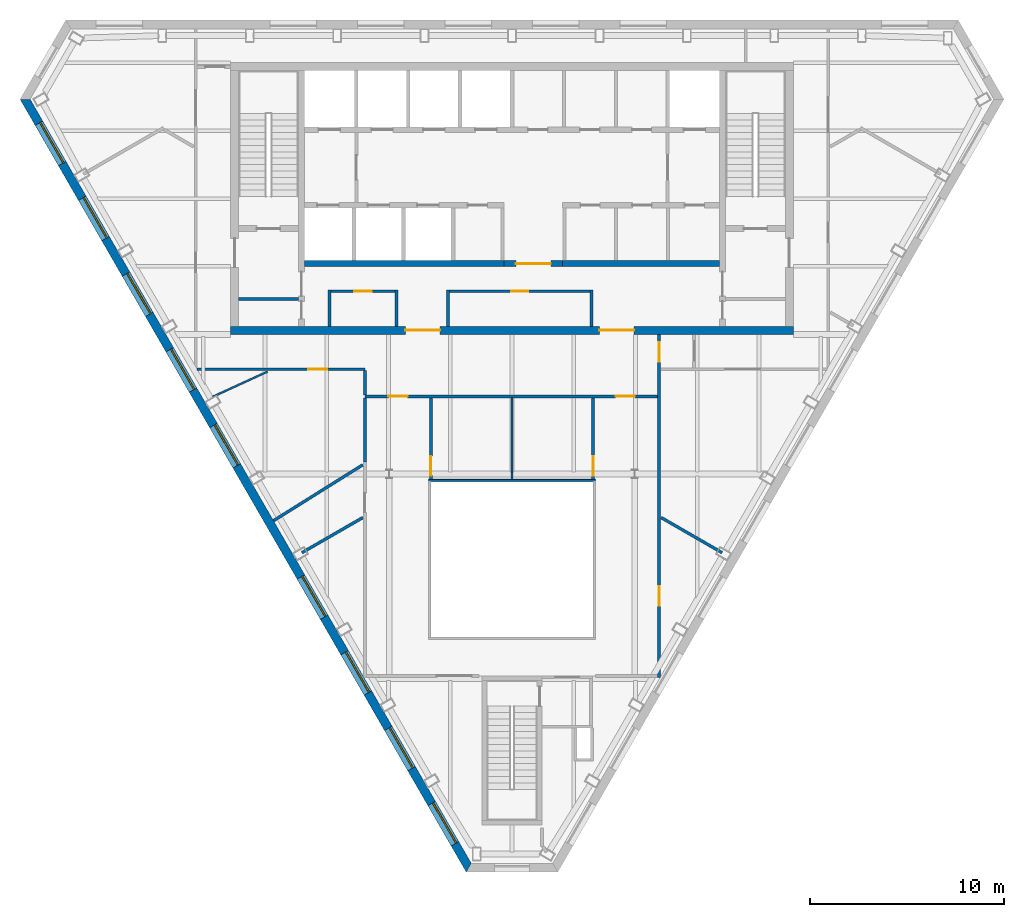
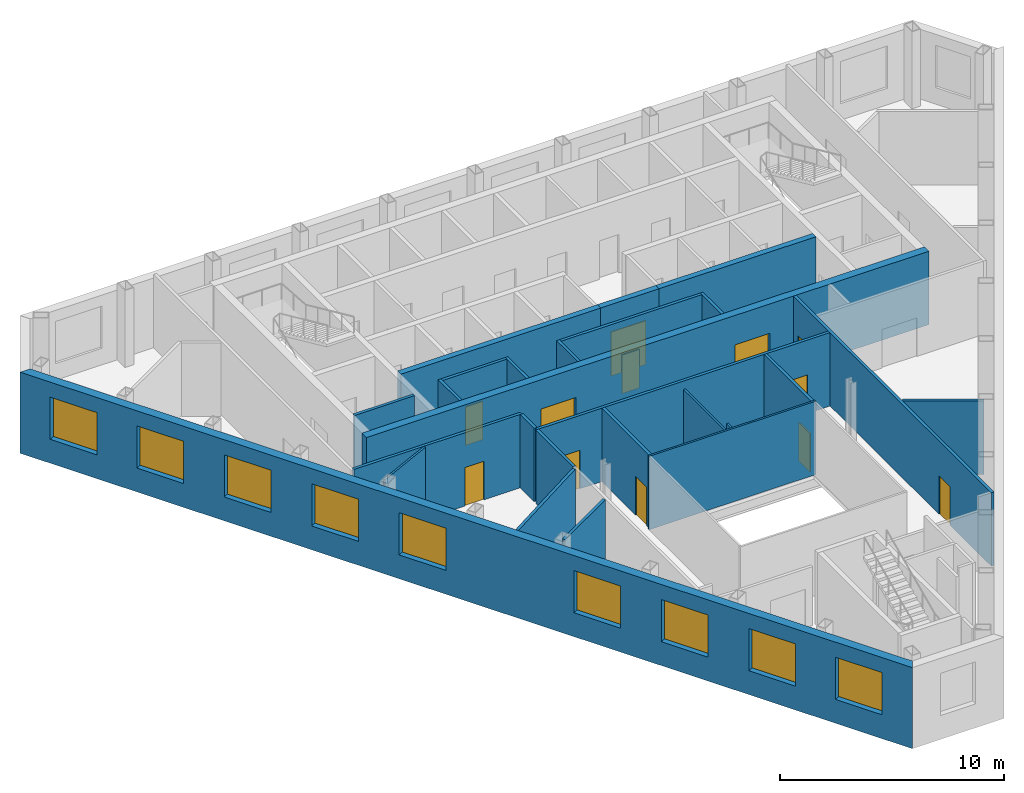
# One storey, part 4 of 10: 26 walls, 12 doors, 9 windows, 21 openings.
"""IFC4 building model written with IfcOpenShell, lengths in metres."""

from ifc_helpers import new_model, si_unit, direction, frame, frame_2d, origin, place, context, subcontext, project, spatial, polyline, rectangle, outline, extrude, material, layer, layer_set, type_object, element, fill, save


model = new_model("IFC4")

# Units and contexts
model_context = context("Model", 3, precision=1e-05, world=origin(), true_north=direction((0.0, 1.0)))
body_context = subcontext(model_context, "Body", "Model", "MODEL_VIEW")
ifc_project = project(units=[si_unit("LENGTHUNIT", "METRE"), si_unit("AREAUNIT", "SQUARE_METRE"), si_unit("VOLUMEUNIT", "CUBIC_METRE"), si_unit("PLANEANGLEUNIT", "RADIAN"), si_unit("MASSUNIT", "GRAM", prefix="KILO")], contexts=[model_context])

# Site, building, storey
site_placement = place(None, origin())
site = spatial("IfcSite", under=ifc_project, at=site_placement, CompositionType="ELEMENT")
building_placement = place(site_placement, origin())
building = spatial("IfcBuilding", under=site, at=building_placement, Name="Njiva Tower", CompositionType="ELEMENT")
storey_placement = place(building_placement, frame((0.0, 0.0, 308.4)))
storey = spatial("IfcBuildingStorey", under=building, at=storey_placement, Name="L70", CompositionType="ELEMENT", Elevation=308.4)

# Walls
ifc_material_1 = material(Name="Blockwork", Category="masonry")
ifc_layer_1 = layer(ifc_material_1, 0.15)
ifc_layer_set_1 = layer_set([ifc_layer_1], Name="Blockwork")
wall_type_1 = type_object("IfcWallType", Name="WT1 Compartment partition 150", PredefinedType="PARTITIONING", material=ifc_layer_set_1)
wall_1_placement = place(storey_placement, frame((-14.1, 5.825, 0.0), z_axis=(0.0, 0.0, 1.0), x_axis=(1.0, 0.0, 0.0)))
element("IfcWall", 1, at=wall_1_placement, inside=storey, type_object=wall_type_1, Name="Room wall A", PredefinedType="PARTITIONING", context=body_context, shape_type="SweptSolid", body=[
    extrude(rectangle(XDim=3.1, YDim=0.15, at=frame_2d((1.55, 0.0))), origin(), (0.0, 0.0, 1.0), 4.0),
])
for number, where, z_axis, x_axis, name in (
    (2, (-9.4, 4.4, 0.0), (0.0, 0.0, 1.0), (0.0, 1.0, 0.0), "Security office wall west"),
    (3, (-5.95, 4.4, 0.0), (0.0, 0.0, 1.0), (0.0, 1.0, 0.0), "Security office wall east"),
):
    element("IfcWall", number, at=place(storey_placement, frame(where, z_axis=z_axis, x_axis=x_axis)), inside=storey, type_object=wall_type_1, Name=name, PredefinedType="PARTITIONING", context=body_context, shape_type="SweptSolid", body=[
        extrude(rectangle(XDim=1.895, YDim=0.15, at=frame_2d((0.9475, 0.0))), origin(), (0.0, 0.0, 1.0), 4.0),
    ])

# Wall, opening, door
wall_2_placement = place(storey_placement, frame((-9.325, 6.22, 0.0), z_axis=(0.0, 0.0, 1.0), x_axis=(1.0, 0.0, 0.0)))
wall_2 = element("IfcWall", 4, at=wall_2_placement, inside=storey, type_object=wall_type_1, Name="Security office wall north", PredefinedType="PARTITIONING", context=body_context, shape_type="SweptSolid", body=[
    extrude(rectangle(XDim=3.3, YDim=0.15, at=frame_2d((1.65, 0.0))), origin(), (0.0, 0.0, 1.0), 4.0),
])
opening_1_placement = place(wall_2_placement, frame((1.2, 0.0, 0.0)))
opening_1 = element("IfcOpeningElement", 5, at=opening_1_placement, cuts=wall_2, Name="Opening S23-D926", PredefinedType="OPENING", context=body_context, shape_type="SweptSolid", body=[
    extrude(rectangle(XDim=0.9, YDim=2.1, at=frame_2d((0.45, 1.05))), frame((0.0, 0.085, 0.0), z_axis=(0.0, -1.0, 0.0), x_axis=(1.0, 0.0, 0.0)), (0.0, 0.0, 1.0), 0.17),
])
ifc_material_2 = material(Name="Steel fire door, painted", Category="steel")
door_type_1 = type_object("IfcDoorType", Name="D6 Fire-rated door 900x2100", OperationType="SINGLE_SWING_LEFT", PredefinedType="DOOR", material=ifc_material_2)
door_1_placement = place(opening_1_placement, origin())
door_1 = element("IfcDoor", 6, at=door_1_placement, inside=storey, type_object=door_type_1, Name="Security office door", OperationType="SINGLE_SWING_RIGHT", OverallHeight=2.1, OverallWidth=0.9, PredefinedType="DOOR", context=body_context, shape_type="SweptSolid", body=[
    extrude(rectangle(XDim=0.9, YDim=2.1, at=frame_2d((0.45, 1.05))), frame((0.0, 0.025, 0.0), z_axis=(0.0, -1.0, 0.0), x_axis=(1.0, 0.0, 0.0)), (0.0, 0.0, 1.0), 0.05),
])
fill(opening_1, door_1)

# Walls
for number, where, z_axis, x_axis, name in (
    (7, (-3.3, 4.4, 0.0), (0.0, 0.0, 1.0), (0.0, 1.0, 0.0), "Concierge office wall west"),
    (8, (4.1, 4.4, 0.0), (0.0, 0.0, 1.0), (0.0, 1.0, 0.0), "Concierge office wall east"),
):
    element("IfcWall", number, at=place(storey_placement, frame(where, z_axis=z_axis, x_axis=x_axis)), inside=storey, type_object=wall_type_1, Name=name, PredefinedType="PARTITIONING", context=body_context, shape_type="SweptSolid", body=[
        extrude(rectangle(XDim=1.895, YDim=0.15, at=frame_2d((0.9475, 0.0))), origin(), (0.0, 0.0, 1.0), 4.0),
    ])

# Wall, opening, door
wall_3_placement = place(storey_placement, frame((-3.225, 6.22, 0.0), z_axis=(0.0, 0.0, 1.0), x_axis=(1.0, 0.0, 0.0)))
wall_3 = element("IfcWall", 9, at=wall_3_placement, inside=storey, type_object=wall_type_1, Name="Concierge office wall north", PredefinedType="PARTITIONING", context=body_context, shape_type="SweptSolid", body=[
    extrude(rectangle(XDim=7.25, YDim=0.15, at=frame_2d((3.625, 0.0))), origin(), (0.0, 0.0, 1.0), 4.0),
])
opening_2_placement = place(wall_3_placement, frame((3.175, 0.0, 0.0)))
opening_2 = element("IfcOpeningElement", 10, at=opening_2_placement, cuts=wall_3, Name="Opening S23-D927", PredefinedType="OPENING", context=body_context, shape_type="SweptSolid", body=[
    extrude(rectangle(XDim=0.9, YDim=2.1, at=frame_2d((0.45, 1.05))), frame((0.0, 0.085, 0.0), z_axis=(0.0, -1.0, 0.0), x_axis=(1.0, 0.0, 0.0)), (0.0, 0.0, 1.0), 0.17),
])
door_2_placement = place(opening_2_placement, origin())
door_2 = element("IfcDoor", 11, at=door_2_placement, inside=storey, type_object=door_type_1, Name="Concierge office door", OperationType="SINGLE_SWING_LEFT", OverallHeight=2.1, OverallWidth=0.9, PredefinedType="DOOR", context=body_context, shape_type="SweptSolid", body=[
    extrude(rectangle(XDim=0.9, YDim=2.1, at=frame_2d((0.45, 1.05))), frame((0.0, 0.025, 0.0), z_axis=(0.0, -1.0, 0.0), x_axis=(1.0, 0.0, 0.0)), (0.0, 0.0, 1.0), 0.05),
])
fill(opening_2, door_2)

# Wall, openings, doors
ifc_material_3 = material(Name="Concrete C60/75", Category="concrete")
ifc_layer_2 = layer(ifc_material_3, 0.4)
ifc_layer_set_2 = layer_set([ifc_layer_2], Name="Concrete C60/75")
wall_type_2 = type_object("IfcWallType", Name="WT11 Core wall 400", PredefinedType="SHEAR", material=ifc_layer_set_2)
wall_4_placement = place(storey_placement, frame((-14.5, 4.2, 0.0), z_axis=(0.0, 0.0, 1.0), x_axis=(1.0, 0.0, 0.0)))
wall_4 = element("IfcWall", 12, at=wall_4_placement, inside=storey, type_object=wall_type_2, Name="Core wall south", PredefinedType="SHEAR", context=body_context, shape_type="SweptSolid", body=[
    extrude(rectangle(XDim=29.0, YDim=0.4, at=frame_2d((14.5, 0.0))), origin(), (0.0, 0.0, 1.0), 4.0),
])
opening_3_placement = place(wall_4_placement, frame((9.0, 0.0, 0.0)))
opening_3 = element("IfcOpeningElement", 13, at=opening_3_placement, cuts=wall_4, Name="Opening S23-D929", PredefinedType="OPENING", context=body_context, shape_type="SweptSolid", body=[
    extrude(rectangle(XDim=1.8, YDim=2.4, at=frame_2d((0.9, 1.2))), frame((0.0, 0.21, 0.0), z_axis=(0.0, -1.0, 0.0), x_axis=(1.0, 0.0, 0.0)), (0.0, 0.0, 1.0), 0.42),
])
opening_4_placement = place(wall_4_placement, frame((19.0, 0.0, 0.0)))
opening_4 = element("IfcOpeningElement", 14, at=opening_4_placement, cuts=wall_4, Name="Opening S23-D930", PredefinedType="OPENING", context=body_context, shape_type="SweptSolid", body=[
    extrude(rectangle(XDim=1.8, YDim=2.4, at=frame_2d((0.9, 1.2))), frame((0.0, 0.21, 0.0), z_axis=(0.0, -1.0, 0.0), x_axis=(1.0, 0.0, 0.0)), (0.0, 0.0, 1.0), 0.42),
])
ifc_material_4 = material(Name="Steel and glass door", Category="steel")
door_type_2 = type_object("IfcDoorType", Name="D3 Core entrance door 1800x2400", OperationType="DOUBLE_DOOR_SINGLE_SWING", PredefinedType="DOOR", material=ifc_material_4)
door_3_placement = place(opening_3_placement, origin())
door_3 = element("IfcDoor", 15, at=door_3_placement, inside=storey, type_object=door_type_2, Name="Core entrance door", OperationType="DOUBLE_DOOR_SINGLE_SWING", OverallHeight=2.4, OverallWidth=1.8, PredefinedType="DOOR", context=body_context, shape_type="SweptSolid", body=[
    extrude(rectangle(XDim=1.8, YDim=2.4, at=frame_2d((0.9, 1.2))), frame((0.0, 0.025, 0.0), z_axis=(0.0, -1.0, 0.0), x_axis=(1.0, 0.0, 0.0)), (0.0, 0.0, 1.0), 0.05),
])
fill(opening_3, door_3)
door_4_placement = place(opening_4_placement, origin())
door_4 = element("IfcDoor", 16, at=door_4_placement, inside=storey, type_object=door_type_2, Name="Core entrance door", OperationType="DOUBLE_DOOR_SINGLE_SWING", OverallHeight=2.4, OverallWidth=1.8, PredefinedType="DOOR", context=body_context, shape_type="SweptSolid", body=[
    extrude(rectangle(XDim=1.8, YDim=2.4, at=frame_2d((0.9, 1.2))), frame((0.0, 0.025, 0.0), z_axis=(0.0, -1.0, 0.0), x_axis=(1.0, 0.0, 0.0)), (0.0, 0.0, 1.0), 0.05),
])
fill(opening_4, door_4)

# Walls
ifc_material_5 = material(Name="Gypsum board on steel studs", Category="gypsum")
ifc_layer_3 = layer(ifc_material_5, 0.1)
ifc_layer_set_3 = layer_set([ifc_layer_3], Name="Gypsum board on steel studs")
wall_type_3 = type_object("IfcWallType", Name="WT20 Gypsum partition 100", PredefinedType="PARTITIONING", material=ifc_layer_set_3)
wall_5_placement = place(storey_placement, frame((-15.435, 0.779, 0.0), z_axis=(0.0, 0.0, 1.0), x_axis=(0.908867400556, 0.417085180996, 0.0)))
element("IfcWall", 17, at=wall_5_placement, inside=storey, type_object=wall_type_3, Name="Partition S23-P006", PredefinedType="PARTITIONING", context=body_context, shape_type="SweptSolid", body=[
    extrude(rectangle(XDim=3.1193, YDim=0.1, at=frame_2d((1.5596, 0.0))), origin(), (0.0, 0.0, 1.0), 4.0),
])
wall_6_placement = place(storey_placement, frame((-0.001, 0.725, 0.0), z_axis=(0.0, 0.0, 1.0), x_axis=(0.000235294111, -0.999999972318, 0.0)))
element("IfcWall", 18, at=wall_6_placement, inside=storey, type_object=wall_type_3, Name="Partition S23-P015", PredefinedType="PARTITIONING", context=body_context, shape_type="SweptSolid", body=[
    extrude(rectangle(XDim=3.825, YDim=0.1, at=frame_2d((1.9125, 0.0))), origin(), (0.0, 0.0, 1.0), 3.55),
])
wall_7_placement = place(storey_placement, frame((-0.0001, -3.1, 0.0), z_axis=(0.0, 0.0, 1.0), x_axis=(0.000263157886, -0.999999965374, 0.0)))
element("IfcWall", 19, at=wall_7_placement, inside=storey, type_object=wall_type_3, Name="Partition S23-P015A", PredefinedType="PARTITIONING", context=body_context, shape_type="SweptSolid", body=[
    extrude(rectangle(XDim=0.38, YDim=0.1, at=frame_2d((0.19, 0.0))), origin(), (0.0, 0.0, 1.0), 4.0),
])

# Wall, opening, door
ifc_layer_4 = layer(ifc_material_5, 0.15)
ifc_layer_set_4 = layer_set([ifc_layer_4], Name="Gypsum board on steel studs")
wall_type_4 = type_object("IfcWallType", Name="WT21 Compartment wall 150", PredefinedType="PARTITIONING", material=ifc_layer_set_4)
wall_8_placement = place(storey_placement, frame((-16.225, 2.2, 0.0), z_axis=(0.0, 0.0, 1.0), x_axis=(1.0, 0.0, 0.0)))
wall_8 = element("IfcWall", 20, at=wall_8_placement, inside=storey, type_object=wall_type_4, Name="Partition S23-P004", PredefinedType="PARTITIONING", context=body_context, shape_type="SweptSolid", body=[
    extrude(rectangle(XDim=8.645, YDim=0.15, at=frame_2d((4.3225, 0.0))), origin(), (0.0, 0.0, 1.0), 4.0),
])
opening_5_placement = place(wall_8_placement, frame((5.714, 0.0, 0.0)))
opening_5 = element("IfcOpeningElement", 21, at=opening_5_placement, cuts=wall_8, Name="Opening S23-D003", PredefinedType="OPENING", context=body_context, shape_type="SweptSolid", body=[
    extrude(rectangle(XDim=1.0, YDim=2.1, at=frame_2d((0.5, 1.05))), frame((0.0, 0.085, 0.0), z_axis=(0.0, -1.0, 0.0), x_axis=(1.0, 0.0, 0.0)), (0.0, 0.0, 1.0), 0.17),
])
ifc_material_6 = material(Name="Steel fire door set", Category="steel")
door_type_3 = type_object("IfcDoorType", Name="D37 Fire door 1000x2100", OperationType="SINGLE_SWING_LEFT", PredefinedType="DOOR", material=ifc_material_6)
door_5_placement = place(opening_5_placement, origin())
door_5 = element("IfcDoor", 22, at=door_5_placement, inside=storey, type_object=door_type_3, Name="Door S23-D003", OperationType="SINGLE_SWING_RIGHT", OverallHeight=2.1, OverallWidth=1.0, PredefinedType="DOOR", context=body_context, shape_type="SweptSolid", body=[
    extrude(rectangle(XDim=1.0, YDim=2.1, at=frame_2d((0.5, 1.05))), frame((0.0, 0.025, 0.0), z_axis=(0.0, -1.0, 0.0), x_axis=(1.0, 0.0, 0.0)), (0.0, 0.0, 1.0), 0.05),
])
fill(opening_5, door_5)

# Walls
wall_9_placement = place(storey_placement, frame((-12.295, -5.607, 0.0), z_axis=(0.0, 0.0, 1.0), x_axis=(0.847749725297, 0.530396458566, 0.0)))
element("IfcWall", 23, at=wall_9_placement, inside=storey, type_object=wall_type_4, Name="Partition S23-P007", PredefinedType="PARTITIONING", context=body_context, shape_type="SweptSolid", body=[
    extrude(rectangle(XDim=5.4261, YDim=0.15, at=frame_2d((2.713, 0.0))), origin(), (0.0, 0.0, 1.0), 4.0),
])
wall_10_placement = place(storey_placement, frame((-10.826, -7.253, 0.0), z_axis=(0.0, 0.0, 1.0), x_axis=(0.866314412185, 0.499499088328, 0.0)))
element("IfcWall", 24, at=wall_10_placement, inside=storey, type_object=wall_type_4, Name="Partition S23-P008", PredefinedType="PARTITIONING", context=body_context, shape_type="SweptSolid", body=[
    extrude(rectangle(XDim=3.6176, YDim=0.15, at=frame_2d((1.8088, 0.0))), origin(), (0.0, 0.0, 1.0), 4.0),
])
wall_11_placement = place(storey_placement, frame((-7.58, -2.582, 0.0), z_axis=(0.0, 0.0, 1.0), x_axis=(0.0, 1.0, 0.0)))
element("IfcWall", 25, at=wall_11_placement, inside=storey, type_object=wall_type_4, Name="Partition S23-P010", PredefinedType="PARTITIONING", context=body_context, shape_type="SweptSolid", body=[
    extrude(rectangle(XDim=3.307, YDim=0.15, at=frame_2d((1.6535, 0.0))), origin(), (0.0, 0.0, 1.0), 4.0),
])

# Wall, openings, doors
wall_12_placement = place(storey_placement, frame((-7.58, 0.8, 0.0), z_axis=(0.0, 0.0, 1.0), x_axis=(1.0, 0.0, 0.0)))
wall_12 = element("IfcWall", 26, at=wall_12_placement, inside=storey, type_object=wall_type_4, Name="Partition S23-P011", PredefinedType="PARTITIONING", context=body_context, shape_type="SweptSolid", body=[
    extrude(rectangle(XDim=15.085, YDim=0.15, at=frame_2d((7.5425, 0.0))), origin(), (0.0, 0.0, 1.0), 4.0),
])
opening_6_placement = place(wall_12_placement, frame((1.206, 0.0, 0.0)))
opening_6 = element("IfcOpeningElement", 27, at=opening_6_placement, cuts=wall_12, Name="Opening S23-D006", PredefinedType="OPENING", context=body_context, shape_type="SweptSolid", body=[
    extrude(rectangle(XDim=1.0, YDim=2.1, at=frame_2d((0.5, 1.05))), frame((0.0, 0.085, 0.0), z_axis=(0.0, -1.0, 0.0), x_axis=(1.0, 0.0, 0.0)), (0.0, 0.0, 1.0), 0.17),
])
opening_7_placement = place(wall_12_placement, frame((12.917, 0.0, 0.0)))
opening_7 = element("IfcOpeningElement", 28, at=opening_7_placement, cuts=wall_12, Name="Opening S23-D007", PredefinedType="OPENING", context=body_context, shape_type="SweptSolid", body=[
    extrude(rectangle(XDim=1.0, YDim=2.1, at=frame_2d((0.5, 1.05))), frame((0.0, 0.085, 0.0), z_axis=(0.0, -1.0, 0.0), x_axis=(1.0, 0.0, 0.0)), (0.0, 0.0, 1.0), 0.17),
])
door_6_placement = place(opening_6_placement, origin())
door_6 = element("IfcDoor", 29, at=door_6_placement, inside=storey, type_object=door_type_3, Name="Door S23-D006", OperationType="SINGLE_SWING_RIGHT", OverallHeight=2.1, OverallWidth=1.0, PredefinedType="DOOR", context=body_context, shape_type="SweptSolid", body=[
    extrude(rectangle(XDim=1.0, YDim=2.1, at=frame_2d((0.5, 1.05))), frame((0.0, 0.025, 0.0), z_axis=(0.0, -1.0, 0.0), x_axis=(1.0, 0.0, 0.0)), (0.0, 0.0, 1.0), 0.05),
])
fill(opening_6, door_6)
door_7_placement = place(opening_7_placement, origin())
door_7 = element("IfcDoor", 30, at=door_7_placement, inside=storey, type_object=door_type_3, Name="Door S23-D007", OperationType="SINGLE_SWING_LEFT", OverallHeight=2.1, OverallWidth=1.0, PredefinedType="DOOR", context=body_context, shape_type="SweptSolid", body=[
    extrude(rectangle(XDim=1.0, YDim=2.1, at=frame_2d((0.5, 1.05))), frame((0.0, 0.025, 0.0), z_axis=(0.0, -1.0, 0.0), x_axis=(1.0, 0.0, 0.0)), (0.0, 0.0, 1.0), 0.05),
])
fill(opening_7, door_7)

# Wall
wall_13_placement = place(storey_placement, frame((-7.58, 0.875, 0.0), z_axis=(0.0, 0.0, 1.0), x_axis=(0.0, 1.0, 0.0)))
element("IfcWall", 31, at=wall_13_placement, inside=storey, type_object=wall_type_4, Name="Partition S23-P012", PredefinedType="PARTITIONING", context=body_context, shape_type="SweptSolid", body=[
    extrude(rectangle(XDim=1.25, YDim=0.15, at=frame_2d((0.625, 0.0))), origin(), (0.0, 0.0, 1.0), 4.0),
])

# Wall, opening, door
wall_14_placement = place(storey_placement, frame((-4.18, 0.725, 0.0), z_axis=(0.0, 0.0, 1.0), x_axis=(0.000237812122, -0.999999971723, 0.0)))
wall_14 = element("IfcWall", 32, at=wall_14_placement, inside=storey, type_object=wall_type_4, Name="Partition S23-P014", PredefinedType="PARTITIONING", context=body_context, shape_type="SweptSolid", body=[
    extrude(rectangle(XDim=4.205, YDim=0.15, at=frame_2d((2.1025, 0.0))), origin(), (0.0, 0.0, 1.0), 4.0),
])
opening_8_placement = place(wall_14_placement, frame((3.005, 0.0, 0.0)))
opening_8 = element("IfcOpeningElement", 33, at=opening_8_placement, cuts=wall_14, Name="Opening S23-D009", PredefinedType="OPENING", context=body_context, shape_type="SweptSolid", body=[
    extrude(rectangle(XDim=1.0, YDim=2.1, at=frame_2d((0.5, 1.05))), frame((0.0, 0.085, 0.0), z_axis=(0.0, -1.0, 0.0), x_axis=(1.0, 0.0, 0.0)), (0.0, 0.0, 1.0), 0.17),
])
door_8_placement = place(opening_8_placement, origin())
door_8 = element("IfcDoor", 34, at=door_8_placement, inside=storey, type_object=door_type_3, Name="Door S23-D009", OperationType="SINGLE_SWING_LEFT", OverallHeight=2.1, OverallWidth=1.0, PredefinedType="DOOR", context=body_context, shape_type="SweptSolid", body=[
    extrude(rectangle(XDim=1.0, YDim=2.1, at=frame_2d((0.5, 1.05))), frame((0.0, 0.025, 0.0), z_axis=(0.0, -1.0, 0.0), x_axis=(1.0, 0.0, 0.0)), (0.0, 0.0, 1.0), 0.05),
])
fill(opening_8, door_8)

wall_15_placement = place(storey_placement, frame((4.179, 0.725, 0.0), z_axis=(0.0, 0.0, 1.0), x_axis=(0.000237812122, -0.999999971723, 0.0)))
wall_15 = element("IfcWall", 35, at=wall_15_placement, inside=storey, type_object=wall_type_4, Name="Partition S23-P018", PredefinedType="PARTITIONING", context=body_context, shape_type="SweptSolid", body=[
    extrude(rectangle(XDim=4.205, YDim=0.15, at=frame_2d((2.1025, 0.0))), origin(), (0.0, 0.0, 1.0), 4.0),
])
opening_9_placement = place(wall_15_placement, frame((3.005, 0.0, 0.0)))
opening_9 = element("IfcOpeningElement", 36, at=opening_9_placement, cuts=wall_15, Name="Opening S23-D010", PredefinedType="OPENING", context=body_context, shape_type="SweptSolid", body=[
    extrude(rectangle(XDim=1.0, YDim=2.1, at=frame_2d((0.5, 1.05))), frame((0.0, 0.085, 0.0), z_axis=(0.0, -1.0, 0.0), x_axis=(1.0, 0.0, 0.0)), (0.0, 0.0, 1.0), 0.17),
])
door_9_placement = place(opening_9_placement, origin())
door_9 = element("IfcDoor", 37, at=door_9_placement, inside=storey, type_object=door_type_3, Name="Door S23-D010", OperationType="SINGLE_SWING_RIGHT", OverallHeight=2.1, OverallWidth=1.0, PredefinedType="DOOR", context=body_context, shape_type="SweptSolid", body=[
    extrude(rectangle(XDim=1.0, YDim=2.1, at=frame_2d((0.5, 1.05))), frame((0.0, 0.025, 0.0), z_axis=(0.0, -1.0, 0.0), x_axis=(1.0, 0.0, 0.0)), (0.0, 0.0, 1.0), 0.05),
])
fill(opening_9, door_9)

# Wall, openings, doors
wall_16_placement = place(storey_placement, frame((7.58, -13.675, 0.0), z_axis=(0.0, 0.0, 1.0), x_axis=(0.0, 1.0, 0.0)))
wall_16 = element("IfcWall", 38, at=wall_16_placement, inside=storey, type_object=wall_type_4, Name="Partition S23-P020", PredefinedType="PARTITIONING", context=body_context, shape_type="SweptSolid", body=[
    extrude(rectangle(XDim=17.675, YDim=0.15, at=frame_2d((8.8375, 0.0))), origin(), (0.0, 0.0, 1.0), 4.0),
])
opening_10_placement = place(wall_16_placement, frame((3.684, 0.0, 0.0)))
opening_10 = element("IfcOpeningElement", 39, at=opening_10_placement, cuts=wall_16, Name="Opening S23-D011", PredefinedType="OPENING", context=body_context, shape_type="SweptSolid", body=[
    extrude(rectangle(XDim=1.0, YDim=2.1, at=frame_2d((0.5, 1.05))), frame((0.0, 0.085, 0.0), z_axis=(0.0, -1.0, 0.0), x_axis=(1.0, 0.0, 0.0)), (0.0, 0.0, 1.0), 0.17),
])
opening_11_placement = place(wall_16_placement, frame((16.275, 0.0, 0.0)))
opening_11 = element("IfcOpeningElement", 40, at=opening_11_placement, cuts=wall_16, Name="Opening S23-D012", PredefinedType="OPENING", context=body_context, shape_type="SweptSolid", body=[
    extrude(rectangle(XDim=1.0, YDim=2.1, at=frame_2d((0.5, 1.05))), frame((0.0, 0.085, 0.0), z_axis=(0.0, -1.0, 0.0), x_axis=(1.0, 0.0, 0.0)), (0.0, 0.0, 1.0), 0.17),
])
door_10_placement = place(opening_10_placement, origin())
door_10 = element("IfcDoor", 41, at=door_10_placement, inside=storey, type_object=door_type_3, Name="Door S23-D011", OperationType="SINGLE_SWING_LEFT", OverallHeight=2.1, OverallWidth=1.0, PredefinedType="DOOR", context=body_context, shape_type="SweptSolid", body=[
    extrude(rectangle(XDim=1.0, YDim=2.1, at=frame_2d((0.5, 1.05))), frame((0.0, 0.025, 0.0), z_axis=(0.0, -1.0, 0.0), x_axis=(1.0, 0.0, 0.0)), (0.0, 0.0, 1.0), 0.05),
])
fill(opening_10, door_10)
door_11_placement = place(opening_11_placement, origin())
door_11 = element("IfcDoor", 42, at=door_11_placement, inside=storey, type_object=door_type_3, Name="Door S23-D012", OperationType="SINGLE_SWING_RIGHT", OverallHeight=2.1, OverallWidth=1.0, PredefinedType="DOOR", context=body_context, shape_type="SweptSolid", body=[
    extrude(rectangle(XDim=1.0, YDim=2.1, at=frame_2d((0.5, 1.05))), frame((0.0, 0.025, 0.0), z_axis=(0.0, -1.0, 0.0), x_axis=(1.0, 0.0, 0.0)), (0.0, 0.0, 1.0), 0.05),
])
fill(opening_11, door_11)

# Wall
wall_17_placement = place(storey_placement, frame((7.692, -5.445, 0.0), z_axis=(0.0, 0.0, 1.0), x_axis=(0.866194788555, -0.49970650214, 0.0)))
element("IfcWall", 43, at=wall_17_placement, inside=storey, type_object=wall_type_4, Name="Partition S23-P022", PredefinedType="PARTITIONING", context=body_context, shape_type="SweptSolid", body=[
    extrude(rectangle(XDim=3.6181, YDim=0.15, at=frame_2d((1.809, 0.0))), origin(), (0.0, 0.0, 1.0), 4.0),
])

# Wall, opening, door
ifc_layer_5 = layer(ifc_material_1, 0.3)
ifc_layer_set_5 = layer_set([ifc_layer_5], Name="Blockwork")
wall_type_5 = type_object("IfcWallType", Name="WT5 Lobby partition 300", PredefinedType="PARTITIONING", material=ifc_layer_set_5)
wall_18_placement = place(storey_placement, frame((-0.4, 7.65, 0.0), z_axis=(0.0, 0.0, 1.0), x_axis=(1.0, 0.0, 0.0)))
wall_18 = element("IfcWall", 44, at=wall_18_placement, inside=storey, type_object=wall_type_5, Name="Lift lobby screen wall", PredefinedType="PARTITIONING", context=body_context, shape_type="SweptSolid", body=[
    extrude(rectangle(XDim=3.0, YDim=0.3, at=frame_2d((1.5, 0.0))), origin(), (0.0, 0.0, 1.0), 4.0),
])
opening_12_placement = place(wall_18_placement, frame((0.6, 0.0, 0.0)))
opening_12 = element("IfcOpeningElement", 45, at=opening_12_placement, cuts=wall_18, Name="Opening S23-D928", PredefinedType="OPENING", context=body_context, shape_type="SweptSolid", body=[
    extrude(rectangle(XDim=1.8, YDim=2.4, at=frame_2d((0.9, 1.2))), frame((0.0, 0.16, 0.0), z_axis=(0.0, -1.0, 0.0), x_axis=(1.0, 0.0, 0.0)), (0.0, 0.0, 1.0), 0.32),
])
door_12_placement = place(opening_12_placement, origin())
door_12 = element("IfcDoor", 46, at=door_12_placement, inside=storey, type_object=door_type_2, Name="Core entrance door", OperationType="DOUBLE_DOOR_SINGLE_SWING", OverallHeight=2.4, OverallWidth=1.8, PredefinedType="DOOR", context=body_context, shape_type="SweptSolid", body=[
    extrude(rectangle(XDim=1.8, YDim=2.4, at=frame_2d((0.9, 1.2))), frame((0.0, 0.025, 0.0), z_axis=(0.0, -1.0, 0.0), x_axis=(1.0, 0.0, 0.0)), (0.0, 0.0, 1.0), 0.05),
])
fill(opening_12, door_12)

# Walls
ifc_material_7 = material(Name="Concrete C40/50", Category="concrete")
ifc_layer_6 = layer(ifc_material_7, 0.3)
ifc_layer_set_6 = layer_set([ifc_layer_6], Name="Concrete C40/50")
wall_type_6 = type_object("IfcWallType", Name="WT7 Lift shaft wall 300", PredefinedType="SHEAR", material=ifc_layer_set_6)
wall_19_placement = place(storey_placement, frame((-10.7, 7.65, 0.0), z_axis=(0.0, 0.0, 1.0), x_axis=(1.0, 0.0, 0.0)))
element("IfcWall", 47, at=wall_19_placement, inside=storey, type_object=wall_type_6, Name="Shaft wall south row back W", PredefinedType="SHEAR", context=body_context, shape_type="SweptSolid", body=[
    extrude(rectangle(XDim=10.3, YDim=0.3, at=frame_2d((5.15, 0.0))), origin(), (0.0, 0.0, 1.0), 4.0),
])
wall_20_placement = place(storey_placement, frame((2.6, 7.65, 0.0), z_axis=(0.0, 0.0, 1.0), x_axis=(1.0, 0.0, 0.0)))
element("IfcWall", 48, at=wall_20_placement, inside=storey, type_object=wall_type_6, Name="Shaft wall south row back E", PredefinedType="SHEAR", context=body_context, shape_type="SweptSolid", body=[
    extrude(rectangle(XDim=8.1, YDim=0.3, at=frame_2d((4.05, 0.0))), origin(), (0.0, 0.0, 1.0), 4.0),
])

# Wall, openings, windows
ifc_material_8 = material(Name="Brick masonry", Category="masonry")
ifc_layer_7 = layer(ifc_material_8, 0.45)
ifc_layer_set_7 = layer_set([ifc_layer_7], Name="Brick masonry")
wall_type_7 = type_object("IfcWallType", Name="WT90 Brick pier and spandrel wall 450", PredefinedType="SOLIDWALL", material=ifc_layer_set_7)
wall_21_placement = place(storey_placement, frame((-25.0952, 16.1124, -0.4), z_axis=(0.0, 0.0, 1.0), x_axis=(0.500000141277, -0.866025322218, 0.0)))
wall_21 = element("IfcWall", 49, at=wall_21_placement, inside=storey, type_object=wall_type_7, Name="Facade wall SW", PredefinedType="SOLIDWALL", context=body_context, shape_type="SweptSolid", body=[
    extrude(outline(polyline([(-0.1299, -0.225), (45.8601, -0.225), (45.6003, 0.225), (0.1299, 0.225), (-0.1299, -0.225)])), origin(), (0.0, 0.0, 1.0), 4.42),
])
opening_13_placement = place(wall_21_placement, frame((1.4237, 0.0, 1.3)))
opening_13 = element("IfcOpeningElement", 50, at=opening_13_placement, cuts=wall_21, Name="Opening S23-W09", PredefinedType="OPENING", context=body_context, shape_type="SweptSolid", body=[
    extrude(rectangle(XDim=2.4, YDim=2.3, at=frame_2d((1.2, 1.15))), frame((0.0, 0.235, 0.0), z_axis=(0.0, -1.0, 0.0), x_axis=(1.0, 0.0, 0.0)), (0.0, 0.0, 1.0), 0.47),
])
opening_14_placement = place(wall_21_placement, frame((5.8919, 0.0, 1.3)))
opening_14 = element("IfcOpeningElement", 51, at=opening_14_placement, cuts=wall_21, Name="Opening S23-W10", PredefinedType="OPENING", context=body_context, shape_type="SweptSolid", body=[
    extrude(rectangle(XDim=2.4, YDim=2.3, at=frame_2d((1.2, 1.15))), frame((0.0, 0.235, 0.0), z_axis=(0.0, -1.0, 0.0), x_axis=(1.0, 0.0, 0.0)), (0.0, 0.0, 1.0), 0.47),
])
opening_15_placement = place(wall_21_placement, frame((10.3985, 0.0, 1.3)))
opening_15 = element("IfcOpeningElement", 52, at=opening_15_placement, cuts=wall_21, Name="Opening S23-W11", PredefinedType="OPENING", context=body_context, shape_type="SweptSolid", body=[
    extrude(rectangle(XDim=2.4, YDim=2.3, at=frame_2d((1.2, 1.15))), frame((0.0, 0.235, 0.0), z_axis=(0.0, -1.0, 0.0), x_axis=(1.0, 0.0, 0.0)), (0.0, 0.0, 1.0), 0.47),
])
opening_16_placement = place(wall_21_placement, frame((14.9052, 0.0, 1.3)))
opening_16 = element("IfcOpeningElement", 53, at=opening_16_placement, cuts=wall_21, Name="Opening S23-W12", PredefinedType="OPENING", context=body_context, shape_type="SweptSolid", body=[
    extrude(rectangle(XDim=2.4, YDim=2.3, at=frame_2d((1.2, 1.15))), frame((0.0, 0.235, 0.0), z_axis=(0.0, -1.0, 0.0), x_axis=(1.0, 0.0, 0.0)), (0.0, 0.0, 1.0), 0.47),
])
opening_17_placement = place(wall_21_placement, frame((19.4118, 0.0, 1.3)))
opening_17 = element("IfcOpeningElement", 54, at=opening_17_placement, cuts=wall_21, Name="Opening S23-W13", PredefinedType="OPENING", context=body_context, shape_type="SweptSolid", body=[
    extrude(rectangle(XDim=2.4, YDim=2.3, at=frame_2d((1.2, 1.15))), frame((0.0, 0.235, 0.0), z_axis=(0.0, -1.0, 0.0), x_axis=(1.0, 0.0, 0.0)), (0.0, 0.0, 1.0), 0.47),
])
opening_18_placement = place(wall_21_placement, frame((28.425, 0.0, 1.3)))
opening_18 = element("IfcOpeningElement", 55, at=opening_18_placement, cuts=wall_21, Name="Opening S23-W14", PredefinedType="OPENING", context=body_context, shape_type="SweptSolid", body=[
    extrude(rectangle(XDim=2.4, YDim=2.3, at=frame_2d((1.2, 1.15))), frame((0.0, 0.235, 0.0), z_axis=(0.0, -1.0, 0.0), x_axis=(1.0, 0.0, 0.0)), (0.0, 0.0, 1.0), 0.47),
])
opening_19_placement = place(wall_21_placement, frame((32.9316, 0.0, 1.3)))
opening_19 = element("IfcOpeningElement", 56, at=opening_19_placement, cuts=wall_21, Name="Opening S23-W15", PredefinedType="OPENING", context=body_context, shape_type="SweptSolid", body=[
    extrude(rectangle(XDim=2.4, YDim=2.3, at=frame_2d((1.2, 1.15))), frame((0.0, 0.235, 0.0), z_axis=(0.0, -1.0, 0.0), x_axis=(1.0, 0.0, 0.0)), (0.0, 0.0, 1.0), 0.47),
])
opening_20_placement = place(wall_21_placement, frame((37.4383, 0.0, 1.3)))
opening_20 = element("IfcOpeningElement", 57, at=opening_20_placement, cuts=wall_21, Name="Opening S23-W16", PredefinedType="OPENING", context=body_context, shape_type="SweptSolid", body=[
    extrude(rectangle(XDim=2.4, YDim=2.3, at=frame_2d((1.2, 1.15))), frame((0.0, 0.235, 0.0), z_axis=(0.0, -1.0, 0.0), x_axis=(1.0, 0.0, 0.0)), (0.0, 0.0, 1.0), 0.47),
])
opening_21_placement = place(wall_21_placement, frame((41.9065, 0.0, 1.3)))
opening_21 = element("IfcOpeningElement", 58, at=opening_21_placement, cuts=wall_21, Name="Opening S23-W17", PredefinedType="OPENING", context=body_context, shape_type="SweptSolid", body=[
    extrude(rectangle(XDim=2.4, YDim=2.3, at=frame_2d((1.2, 1.15))), frame((0.0, 0.235, 0.0), z_axis=(0.0, -1.0, 0.0), x_axis=(1.0, 0.0, 0.0)), (0.0, 0.0, 1.0), 0.47),
])
ifc_material_9 = material(Name="Clear glazing in aluminium frame", Category="aluminium")
window_type = type_object("IfcWindowType", Name="W91 Deep-set window 2400x2300", PartitioningType="SINGLE_PANEL", PredefinedType="WINDOW", material=ifc_material_9)
window_1_placement = place(opening_13_placement, origin())
window_1 = element("IfcWindow", 59, at=window_1_placement, inside=storey, type_object=window_type, Name="Window", OverallHeight=2.3, OverallWidth=2.4, PartitioningType="SINGLE_PANEL", PredefinedType="WINDOW", context=body_context, shape_type="SweptSolid", body=[
    extrude(rectangle(XDim=2.4, YDim=2.3, at=frame_2d((1.2, 1.15))), frame((0.0, 0.105, 0.0), z_axis=(0.0, -1.0, 0.0), x_axis=(1.0, 0.0, 0.0)), (0.0, 0.0, 1.0), 0.06),
])
fill(opening_13, window_1)
window_2_placement = place(opening_14_placement, origin())
window_2 = element("IfcWindow", 60, at=window_2_placement, inside=storey, type_object=window_type, Name="Window", OverallHeight=2.3, OverallWidth=2.4, PartitioningType="SINGLE_PANEL", PredefinedType="WINDOW", context=body_context, shape_type="SweptSolid", body=[
    extrude(rectangle(XDim=2.4, YDim=2.3, at=frame_2d((1.2, 1.15))), frame((0.0, 0.105, 0.0), z_axis=(0.0, -1.0, 0.0), x_axis=(1.0, 0.0, 0.0)), (0.0, 0.0, 1.0), 0.06),
])
fill(opening_14, window_2)
window_3_placement = place(opening_15_placement, origin())
window_3 = element("IfcWindow", 61, at=window_3_placement, inside=storey, type_object=window_type, Name="Window", OverallHeight=2.3, OverallWidth=2.4, PartitioningType="SINGLE_PANEL", PredefinedType="WINDOW", context=body_context, shape_type="SweptSolid", body=[
    extrude(rectangle(XDim=2.4, YDim=2.3, at=frame_2d((1.2, 1.15))), frame((0.0, 0.105, 0.0), z_axis=(0.0, -1.0, 0.0), x_axis=(1.0, 0.0, 0.0)), (0.0, 0.0, 1.0), 0.06),
])
fill(opening_15, window_3)
window_4_placement = place(opening_16_placement, origin())
window_4 = element("IfcWindow", 62, at=window_4_placement, inside=storey, type_object=window_type, Name="Window", OverallHeight=2.3, OverallWidth=2.4, PartitioningType="SINGLE_PANEL", PredefinedType="WINDOW", context=body_context, shape_type="SweptSolid", body=[
    extrude(rectangle(XDim=2.4, YDim=2.3, at=frame_2d((1.2, 1.15))), frame((0.0, 0.105, 0.0), z_axis=(0.0, -1.0, 0.0), x_axis=(1.0, 0.0, 0.0)), (0.0, 0.0, 1.0), 0.06),
])
fill(opening_16, window_4)
window_5_placement = place(opening_17_placement, origin())
window_5 = element("IfcWindow", 63, at=window_5_placement, inside=storey, type_object=window_type, Name="Window", OverallHeight=2.3, OverallWidth=2.4, PartitioningType="SINGLE_PANEL", PredefinedType="WINDOW", context=body_context, shape_type="SweptSolid", body=[
    extrude(rectangle(XDim=2.4, YDim=2.3, at=frame_2d((1.2, 1.15))), frame((0.0, 0.105, 0.0), z_axis=(0.0, -1.0, 0.0), x_axis=(1.0, 0.0, 0.0)), (0.0, 0.0, 1.0), 0.06),
])
fill(opening_17, window_5)
window_6_placement = place(opening_18_placement, origin())
window_6 = element("IfcWindow", 64, at=window_6_placement, inside=storey, type_object=window_type, Name="Window", OverallHeight=2.3, OverallWidth=2.4, PartitioningType="SINGLE_PANEL", PredefinedType="WINDOW", context=body_context, shape_type="SweptSolid", body=[
    extrude(rectangle(XDim=2.4, YDim=2.3, at=frame_2d((1.2, 1.15))), frame((0.0, 0.105, 0.0), z_axis=(0.0, -1.0, 0.0), x_axis=(1.0, 0.0, 0.0)), (0.0, 0.0, 1.0), 0.06),
])
fill(opening_18, window_6)
window_7_placement = place(opening_19_placement, origin())
window_7 = element("IfcWindow", 65, at=window_7_placement, inside=storey, type_object=window_type, Name="Window", OverallHeight=2.3, OverallWidth=2.4, PartitioningType="SINGLE_PANEL", PredefinedType="WINDOW", context=body_context, shape_type="SweptSolid", body=[
    extrude(rectangle(XDim=2.4, YDim=2.3, at=frame_2d((1.2, 1.15))), frame((0.0, 0.105, 0.0), z_axis=(0.0, -1.0, 0.0), x_axis=(1.0, 0.0, 0.0)), (0.0, 0.0, 1.0), 0.06),
])
fill(opening_19, window_7)
window_8_placement = place(opening_20_placement, origin())
window_8 = element("IfcWindow", 66, at=window_8_placement, inside=storey, type_object=window_type, Name="Window", OverallHeight=2.3, OverallWidth=2.4, PartitioningType="SINGLE_PANEL", PredefinedType="WINDOW", context=body_context, shape_type="SweptSolid", body=[
    extrude(rectangle(XDim=2.4, YDim=2.3, at=frame_2d((1.2, 1.15))), frame((0.0, 0.105, 0.0), z_axis=(0.0, -1.0, 0.0), x_axis=(1.0, 0.0, 0.0)), (0.0, 0.0, 1.0), 0.06),
])
fill(opening_20, window_8)
window_9_placement = place(opening_21_placement, origin())
window_9 = element("IfcWindow", 67, at=window_9_placement, inside=storey, type_object=window_type, Name="Window", OverallHeight=2.3, OverallWidth=2.4, PartitioningType="SINGLE_PANEL", PredefinedType="WINDOW", context=body_context, shape_type="SweptSolid", body=[
    extrude(rectangle(XDim=2.4, YDim=2.3, at=frame_2d((1.2, 1.15))), frame((0.0, 0.105, 0.0), z_axis=(0.0, -1.0, 0.0), x_axis=(1.0, 0.0, 0.0)), (0.0, 0.0, 1.0), 0.06),
])
fill(opening_21, window_9)

# Wall
ifc_material_10 = material(Name="Fire-resisting glazing EI 90", Category="glass")
ifc_layer_8 = layer(ifc_material_10, 0.1)
ifc_layer_set_8 = layer_set([ifc_layer_8], Name="Fire-resisting glazing EI 90")
wall_type_8 = type_object("IfcWallType", Name="WT95 Fire-resisting glazed screen EI 90", PredefinedType="PARTITIONING", material=ifc_layer_set_8)
wall_22_placement = place(storey_placement, frame((4.3, -3.53, 0.0), z_axis=(0.0, 0.0, 1.0), x_axis=(-1.0, 0.0, 0.0)))
element("IfcWall", 68, at=wall_22_placement, inside=storey, type_object=wall_type_8, Name="Atrium fire screen north", PredefinedType="PARTITIONING", context=body_context, shape_type="SweptSolid", body=[
    extrude(rectangle(XDim=8.6, YDim=0.1, at=frame_2d((4.3, 0.0))), origin(), (0.0, 0.0, 1.0), 4.0),
])

save(model, "model.ifc")
